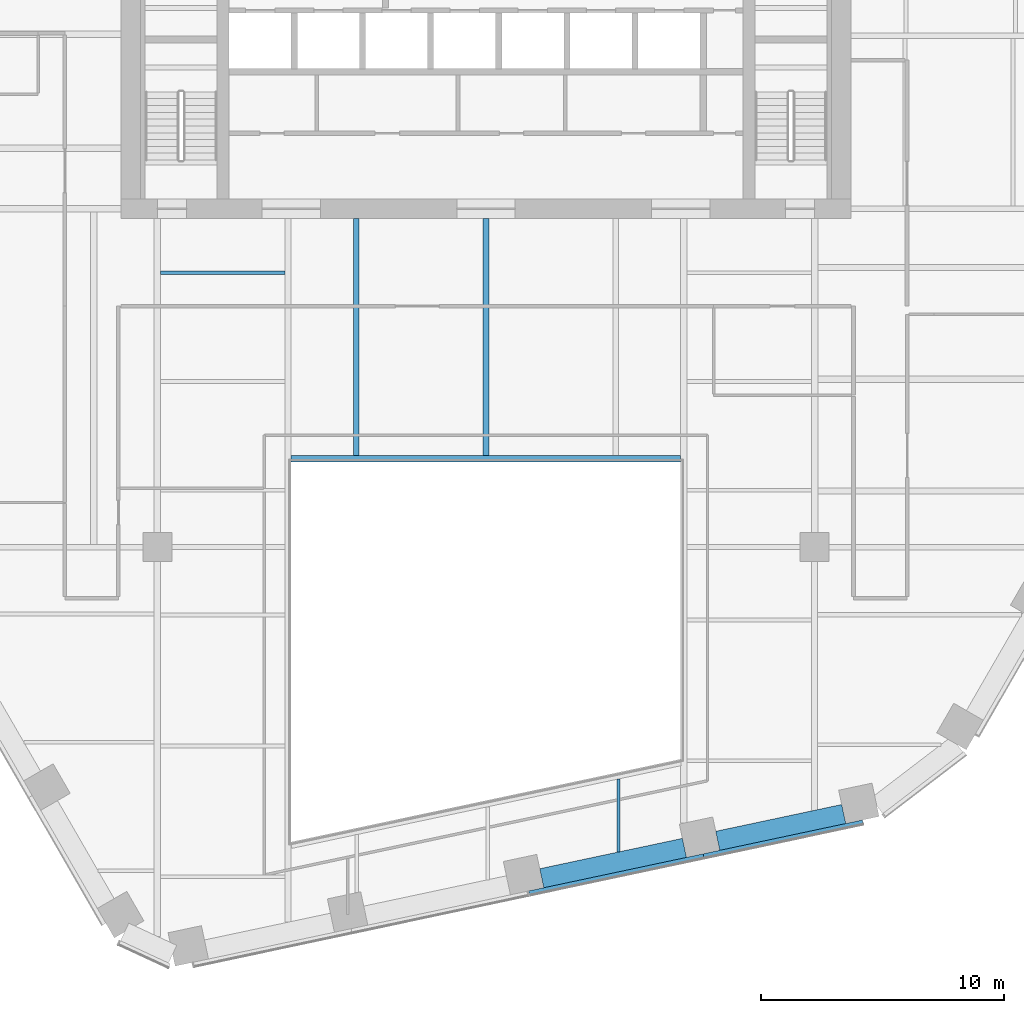
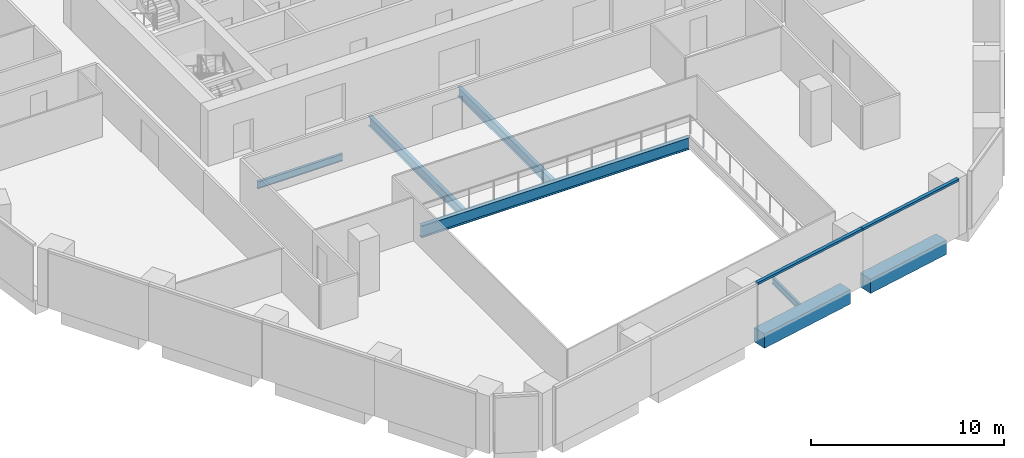
# One storey, part 4 of 16: 7 beams, 2 members, 1 element without a shape of its own.
"""IFC4 building model written with IfcOpenShell, lengths in metres."""

from ifc_helpers import new_model, si_unit, direction, frame, origin, origin_2d, place, context, subcontext, project, spatial, rectangle, i_section, extrude, material, layer, layer_set, material_profile, profile_set, type_object, element, aggregate, save


model = new_model("IFC4")

# Units and contexts
model_context = context("Model", 3, precision=1e-05, world=origin(), true_north=direction((0.0, 1.0)))
body_context = subcontext(model_context, "Body", "Model", "MODEL_VIEW")
ifc_project = project(units=[si_unit("LENGTHUNIT", "METRE"), si_unit("AREAUNIT", "SQUARE_METRE"), si_unit("VOLUMEUNIT", "CUBIC_METRE"), si_unit("PLANEANGLEUNIT", "RADIAN"), si_unit("MASSUNIT", "GRAM", prefix="KILO")], contexts=[model_context])

# Site, building, storey
site_placement = place(None, origin())
site = spatial("IfcSite", under=ifc_project, at=site_placement, CompositionType="ELEMENT")
building_placement = place(site_placement, origin())
building = spatial("IfcBuilding", under=site, at=building_placement, Name="Isthmus Gate Tower", CompositionType="ELEMENT")
storey_placement = place(building_placement, frame((0.0, 0.0, 155.35009765625)))
storey = spatial("IfcBuildingStorey", under=building, at=storey_placement, Name="L38", CompositionType="ELEMENT", Elevation=155.35009765625)

# Curtain wall, members
ifc_material_1 = material(Name="Aluminium, pale champagne anodised", Category="aluminium")
ifc_layer = layer(ifc_material_1, 0.199951171875)
ifc_layer_set = layer_set([ifc_layer], Name="CW-1 UNITISED CURTAIN WALL 200 DEEP")
curtain_wall_type = type_object("IfcCurtainWallType", Name="CW-1 UNITISED CURTAIN WALL 200 DEEP", PredefinedType="NOTDEFINED", material=ifc_layer_set)
curtain_wall_placement = place(storey_placement, origin())
curtain_wall = element("IfcCurtainWall", 1, at=curtain_wall_placement, inside=storey, type_object=curtain_wall_type, Name="CW-1 S L38", PredefinedType="NOTDEFINED")
ifc_material_2 = material(Name="Aluminium, pale champagne anodised", Category="aluminium")
ifc_material_profile_1 = material_profile(ifc_material_2, rectangle(XDim=0.199951171875, YDim=0.139892578125, at=origin_2d()), Name="200x140")
ifc_profile_set_1 = profile_set([ifc_material_profile_1], Name="Aluminium, pale champagne anodised")
member_type = type_object("IfcMemberType", Name="CW-1 TRANSOM 200 X 140", PredefinedType="USERDEFINED", material=ifc_profile_set_1)
member_1_placement = place(storey_placement, frame((1.76953125, -27.72607421875, 3.579833984375), z_axis=(0.978146152746, 0.207918502948, 0.0), x_axis=(-0.207918502948, 0.978146152746, 0.0)))
member_1 = element("IfcMember", 2, at=member_1_placement, type_object=member_type, Name="CW-1 transom", ObjectType="TRANSOM", PredefinedType="USERDEFINED", context=body_context, shape_type="SweptSolid", body=[
    extrude(rectangle(XDim=0.199951171875, YDim=0.139892578125, at=origin_2d()), origin(), (0.0, 0.0, 1.0), 7.33056640625),
])
member_2_placement = place(storey_placement, frame((8.93994140625, -26.201904296875, 3.579833984375), z_axis=(0.978147628551, 0.207911559946, 0.0), x_axis=(-0.207911559946, 0.978147628551, 0.0)))
member_2 = element("IfcMember", 3, at=member_2_placement, type_object=member_type, Name="CW-1 transom", ObjectType="TRANSOM", PredefinedType="USERDEFINED", context=body_context, shape_type="SweptSolid", body=[
    extrude(rectangle(XDim=0.199951171875, YDim=0.139892578125, at=origin_2d()), origin(), (0.0, 0.0, 1.0), 6.69091796875),
])
aggregate(curtain_wall, [member_1, member_2])

# Beams
ifc_material_3 = material(Name="Concrete f'c 60 MPa", Category="concrete")
ifc_material_profile_2 = material_profile(ifc_material_3, rectangle(XDim=0.800048828125, YDim=0.89990234375, at=origin_2d()), Name="RC 800X900")
ifc_profile_set_2 = profile_set([ifc_material_profile_2], Name="Concrete f'c 60 MPa")
beam_type_1 = type_object("IfcBeamType", Name="RC SPANDREL 800 X 900", PredefinedType="SPANDREL", material=ifc_profile_set_2)
beam_1_placement = place(storey_placement, frame((14.696044921875, -24.46728515625, -0.4501953125), z_axis=(-0.978145479826, -0.207921668653, 0.0), x_axis=(0.207921668653, -0.978145479826, 0.0)))
element("IfcBeam", 4, at=beam_1_placement, inside=storey, type_object=beam_type_1, Name="str-spandrel-L38-11", PredefinedType="SPANDREL", context=body_context, shape_type="SweptSolid", body=[
    extrude(rectangle(XDim=0.800048828125, YDim=0.89990234375, at=origin_2d()), origin(), (0.0, 0.0, 1.0), 5.291015625),
])
beam_2_placement = place(storey_placement, frame((8.1513671875, -25.8583984375, -0.4501953125), z_axis=(-0.978145798872, -0.20792016773, 0.0), x_axis=(0.20792016773, -0.978145798872, 0.0)))
element("IfcBeam", 5, at=beam_2_placement, inside=storey, type_object=beam_type_1, Name="str-spandrel-L38-12", PredefinedType="SPANDREL", context=body_context, shape_type="SweptSolid", body=[
    extrude(rectangle(XDim=0.800048828125, YDim=0.89990234375, at=origin_2d()), origin(), (0.0, 0.0, 1.0), 5.99072265625),
])
ifc_material_4 = material(Name="Structural steel ASTM A992 Gr 50", Category="steel")
ifc_material_profile_3 = material_profile(ifc_material_4, i_section(OverallWidth=0.1396484375, OverallDepth=0.4033203125, WebThickness=0.00634765625, FlangeThickness=0.010986328125, at=origin_2d()), Name="W16X31")
ifc_profile_set_3 = profile_set([ifc_material_profile_3], Name="Structural steel ASTM A992 Gr 50")
beam_type_2 = type_object("IfcBeamType", Name="STEEL FLOOR BEAM W16X31", PredefinedType="JOIST", material=ifc_profile_set_3)
beam_3_placement = place(storey_placement, frame((5.443115234375, -26.025146484375, -0.351806640625), z_axis=(0.0, 1.0, 0.0), x_axis=(-1.0, 0.0, 0.0)))
element("IfcBeam", 6, at=beam_3_placement, inside=storey, type_object=beam_type_2, Name="str-beam-L38-07-02", PredefinedType="JOIST", context=body_context, shape_type="SweptSolid", body=[
    extrude(i_section(OverallWidth=0.1396484375, OverallDepth=0.4033203125, WebThickness=0.00634765625, FlangeThickness=0.010986328125, at=origin_2d()), origin(), (0.0, 0.0, 1.0), 2.998779296875),
])
ifc_material_5 = material(Name="Structural steel ASTM A992 Gr 50", Category="steel")
ifc_material_profile_4 = material_profile(ifc_material_5, i_section(OverallWidth=0.15234375, OverallDepth=0.45068359375, WebThickness=0.0078125, FlangeThickness=0.010986328125, at=origin_2d()), Name="W18X35")
ifc_profile_set_4 = profile_set([ifc_material_profile_4], Name="Structural steel ASTM A992 Gr 50")
beam_type_3 = type_object("IfcBeamType", Name="STEEL FLOOR BEAM W18X35", PredefinedType="JOIST", material=ifc_profile_set_4)
beam_4_placement = place(storey_placement, frame((-13.3681640625, -2.232421875, -0.37548828125), z_axis=(1.0, 0.0, 0.0), x_axis=(0.0, 1.0, 0.0)))
element("IfcBeam", 7, at=beam_4_placement, inside=storey, type_object=beam_type_3, Name="str-beam-L38-04-02", PredefinedType="JOIST", context=body_context, shape_type="SweptSolid", body=[
    extrude(i_section(OverallWidth=0.15234375, OverallDepth=0.45068359375, WebThickness=0.0078125, FlangeThickness=0.010986328125, at=origin_2d()), origin(), (0.0, 0.0, 1.0), 5.1015625),
])
ifc_material_6 = material(Name="Structural steel ASTM A992 Gr 50", Category="steel")
ifc_material_profile_5 = material_profile(ifc_material_6, i_section(OverallWidth=0.228515625, OverallDepth=0.603271484375, WebThickness=0.010986328125, FlangeThickness=0.014404296875, at=origin_2d()), Name="W24X68")
ifc_profile_set_5 = profile_set([ifc_material_profile_5], Name="Structural steel ASTM A992 Gr 50")
beam_type_4 = type_object("IfcBeamType", Name="STEEL FLOOR BEAM W24X68", PredefinedType="JOIST", material=ifc_profile_set_5)
for number, where, z_axis, x_axis, name in (
    (8, (-5.333251953125, -9.7333984375, -0.45166015625), (0.0, 1.0, 0.0), (-1.0, 0.0, 0.0), "str-beam-L38-06-00"),
    (9, (0.0, -9.7333984375, -0.45166015625), (0.0, 1.0, 0.0), (-1.0, 0.0, 0.0), "str-beam-L38-06-01"),
):
    element("IfcBeam", number, at=place(storey_placement, frame(where, z_axis=z_axis, x_axis=x_axis)), inside=storey, type_object=beam_type_4, Name=name, PredefinedType="JOIST", context=body_context, shape_type="SweptSolid", body=[
        extrude(i_section(OverallWidth=0.228515625, OverallDepth=0.603271484375, WebThickness=0.010986328125, FlangeThickness=0.014404296875, at=origin_2d()), origin(), (0.0, 0.0, 1.0), 9.7333984375),
    ])
ifc_material_7 = material(Name="Structural steel ASTM A992 Gr 50", Category="steel")
ifc_material_profile_6 = material_profile(ifc_material_7, i_section(OverallWidth=0.2666015625, OverallDepth=0.7587890625, WebThickness=0.014404296875, FlangeThickness=0.01904296875, at=origin_2d()), Name="W30X108")
ifc_profile_set_6 = profile_set([ifc_material_profile_6], Name="Structural steel ASTM A992 Gr 50")
beam_type_5 = type_object("IfcBeamType", Name="STEEL TRIMMER W30X108", PredefinedType="BEAM", material=ifc_profile_set_6)
beam_5_placement = place(storey_placement, frame((8.0, -9.86669921875, -0.529541015625), z_axis=(-1.0, 0.0, 0.0), x_axis=(0.0, -1.0, 0.0)))
element("IfcBeam", 10, at=beam_5_placement, inside=storey, type_object=beam_type_5, Name="str-trimmer-L38-04", PredefinedType="BEAM", context=body_context, shape_type="SweptSolid", body=[
    extrude(i_section(OverallWidth=0.2666015625, OverallDepth=0.7587890625, WebThickness=0.014404296875, FlangeThickness=0.01904296875, at=origin_2d()), origin(), (0.0, 0.0, 1.0), 16.0),
])

save(model, "model.ifc")
